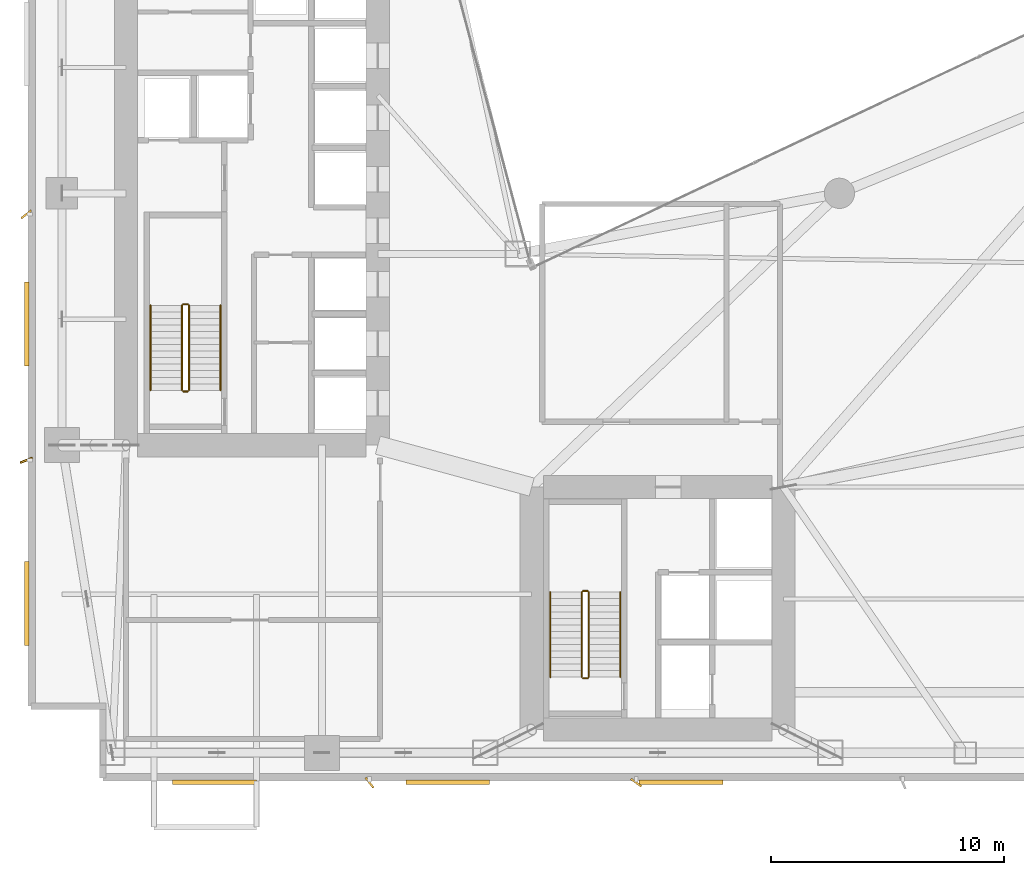
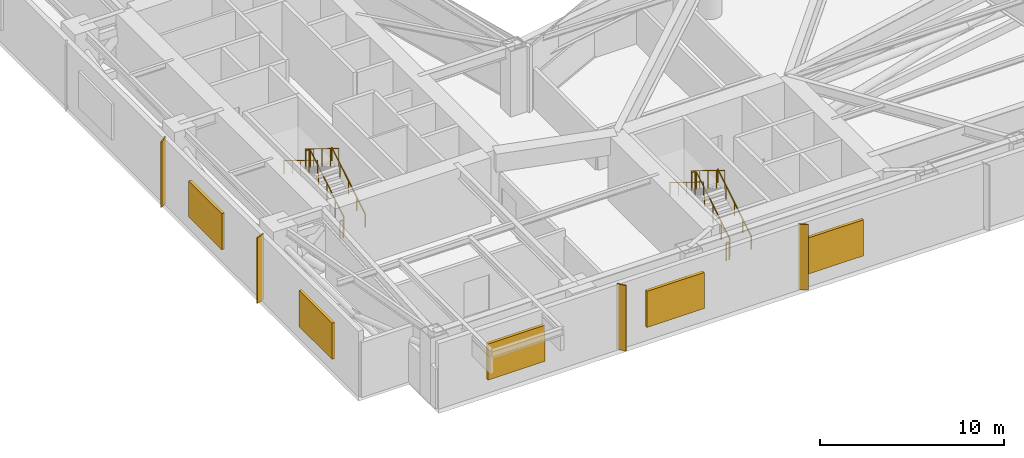
# One storey, part 17 of 18: 12 railings, 9 shading devices.
"""IFC4 building model written with IfcOpenShell, lengths in metres."""

from ifc_helpers import new_model, si_unit, direction, frame, origin, origin_2d, place, context, subcontext, project, spatial, rectangle, circle, extrude, material, type_object, element, save


model = new_model("IFC4")

# Units and contexts
model_context = context("Model", 3, precision=1e-05, world=origin(), true_north=direction((0.0, 1.0)))
body_context = subcontext(model_context, "Body", "Model", "MODEL_VIEW")
ifc_project = project(units=[si_unit("LENGTHUNIT", "METRE"), si_unit("AREAUNIT", "SQUARE_METRE"), si_unit("VOLUMEUNIT", "CUBIC_METRE"), si_unit("PLANEANGLEUNIT", "RADIAN"), si_unit("MASSUNIT", "GRAM", prefix="KILO")], contexts=[model_context])

# Site, building, storey
site_placement = place(None, origin())
site = spatial("IfcSite", under=ifc_project, at=site_placement, CompositionType="ELEMENT")
building_placement = place(site_placement, origin())
building = spatial("IfcBuilding", under=site, at=building_placement, Name="Calvorn Quay Hotel", CompositionType="ELEMENT")
storey_placement = place(building_placement, frame((0.0, 0.0, 92.60009765625)))
storey = spatial("IfcBuildingStorey", under=building, at=storey_placement, Name="L22", CompositionType="ELEMENT", Elevation=92.60009765625)

# Railings
ifc_material_1 = material(Name="Brushed Stainless Steel Handrail", Category="steel")
railing_type_1 = type_object("IfcRailingType", Name="RLG-HANDRAIL-900", PredefinedType="HANDRAIL", material=ifc_material_1)
railing_1_placement = place(storey_placement, frame((8.25, 19.14990234375, 0.17138671875)))
element("IfcRailing", 1, at=railing_1_placement, inside=storey, type_object=railing_type_1, Name="L22 ST-W stair handrail 1", PredefinedType="HANDRAIL", context=body_context, shape_type="SweptSolid", body=[
    extrude(circle(Radius=0.02392578125, at=origin_2d()), frame((0.0, 0.0, 0.8759765625), z_axis=(0.0, 0.852865859571, 0.52213008492), x_axis=(-1.0, 0.0, 0.0)), (0.0, 0.0, 1.0), 4.26806640625),
    extrude(circle(Radius=0.02099609375, at=origin_2d()), origin(), (0.0, 0.0, 1.0), 0.851806640625),
    extrude(circle(Radius=0.02099609375, at=origin_2d()), frame((0.0, 0.91015625, 0.55712890625)), (0.0, 0.0, 1.0), 0.851806640625),
    extrude(circle(Radius=0.02099609375, at=origin_2d()), frame((0.0, 1.820068359375, 1.1142578125)), (0.0, 0.0, 1.0), 0.851806640625),
    extrude(circle(Radius=0.02099609375, at=origin_2d()), frame((0.0, 2.72998046875, 1.67138671875)), (0.0, 0.0, 1.0), 0.851806640625),
    extrude(circle(Radius=0.02099609375, at=origin_2d()), frame((0.0, 3.64013671875, 2.228515625)), (0.0, 0.0, 1.0), 0.851806640625),
])
railing_2_placement = place(storey_placement, frame((5.25, 22.7900390625, 2.5712890625)))
element("IfcRailing", 2, at=railing_2_placement, inside=storey, type_object=railing_type_1, Name="L22 ST-W stair handrail 2", PredefinedType="HANDRAIL", context=body_context, shape_type="SweptSolid", body=[
    extrude(circle(Radius=0.02392578125, at=origin_2d()), frame((0.0, 0.0, 0.8759765625), z_axis=(0.0, -0.852865859571, 0.52213008492), x_axis=(1.0, 0.0, 0.0)), (0.0, 0.0, 1.0), 4.26806640625),
    extrude(circle(Radius=0.02099609375, at=origin_2d()), origin(), (0.0, 0.0, 1.0), 0.851806640625),
    extrude(circle(Radius=0.02099609375, at=origin_2d()), frame((0.0, -0.91015625, 0.55712890625)), (0.0, 0.0, 1.0), 0.851806640625),
    extrude(circle(Radius=0.02099609375, at=origin_2d()), frame((0.0, -1.820068359375, 1.1142578125)), (0.0, 0.0, 1.0), 0.851806640625),
    extrude(circle(Radius=0.02099609375, at=origin_2d()), frame((0.0, -2.72998046875, 1.67138671875)), (0.0, 0.0, 1.0), 0.851806640625),
    extrude(circle(Radius=0.02099609375, at=origin_2d()), frame((0.0, -3.64013671875, 2.228515625)), (0.0, 0.0, 1.0), 0.851806640625),
])
railing_3_placement = place(storey_placement, frame((25.39990234375, 6.85009765625, 0.17138671875)))
element("IfcRailing", 3, at=railing_3_placement, inside=storey, type_object=railing_type_1, Name="L22 ST-E stair handrail 1", PredefinedType="HANDRAIL", context=body_context, shape_type="SweptSolid", body=[
    extrude(circle(Radius=0.02392578125, at=origin_2d()), frame((0.0, 0.0, 0.8759765625), z_axis=(0.0, 0.852850264322, 0.5221555579), x_axis=(-1.0, 0.0, 0.0)), (0.0, 0.0, 1.0), 4.267822265625),
    extrude(circle(Radius=0.02099609375, at=origin_2d()), origin(), (0.0, 0.0, 1.0), 0.851806640625),
    extrude(circle(Radius=0.02099609375, at=origin_2d()), frame((0.0, 0.909912109375, 0.55712890625)), (0.0, 0.0, 1.0), 0.851806640625),
    extrude(circle(Radius=0.02099609375, at=origin_2d()), frame((0.0, 1.81982421875, 1.1142578125)), (0.0, 0.0, 1.0), 0.851806640625),
    extrude(circle(Radius=0.02099609375, at=origin_2d()), frame((0.0, 2.72998046875, 1.67138671875)), (0.0, 0.0, 1.0), 0.851806640625),
    extrude(circle(Radius=0.02099609375, at=origin_2d()), frame((0.0, 3.639892578125, 2.228515625)), (0.0, 0.0, 1.0), 0.851806640625),
])
railing_4_placement = place(storey_placement, frame((22.39990234375, 10.489990234375, 2.5712890625)))
element("IfcRailing", 4, at=railing_4_placement, inside=storey, type_object=railing_type_1, Name="L22 ST-E stair handrail 2", PredefinedType="HANDRAIL", context=body_context, shape_type="SweptSolid", body=[
    extrude(circle(Radius=0.02392578125, at=origin_2d()), frame((0.0, 0.0, 0.8759765625), z_axis=(0.0, -0.852850264322, 0.5221555579), x_axis=(1.0, 0.0, 0.0)), (0.0, 0.0, 1.0), 4.267822265625),
    extrude(circle(Radius=0.02099609375, at=origin_2d()), origin(), (0.0, 0.0, 1.0), 0.851806640625),
    extrude(circle(Radius=0.02099609375, at=origin_2d()), frame((0.0, -0.909912109375, 0.55712890625)), (0.0, 0.0, 1.0), 0.851806640625),
    extrude(circle(Radius=0.02099609375, at=origin_2d()), frame((0.0, -1.81982421875, 1.1142578125)), (0.0, 0.0, 1.0), 0.851806640625),
    extrude(circle(Radius=0.02099609375, at=origin_2d()), frame((0.0, -2.72998046875, 1.67138671875)), (0.0, 0.0, 1.0), 0.851806640625),
    extrude(circle(Radius=0.02099609375, at=origin_2d()), frame((0.0, -3.639892578125, 2.228515625)), (0.0, 0.0, 1.0), 0.851806640625),
])
ifc_material_2 = material(Name="Painted Galvanised Steel Balustrade", Category="steel")
railing_type_2 = type_object("IfcRailingType", Name="RLG-STAIR-GUARD-1120", PredefinedType="GUARDRAIL", material=ifc_material_2)
railing_5_placement = place(storey_placement, frame((6.89990234375, 19.14990234375, 0.17138671875)))
element("IfcRailing", 5, at=railing_5_placement, inside=storey, type_object=railing_type_2, Name="L22 ST-W stair guard 1", PredefinedType="GUARDRAIL", context=body_context, shape_type="SweptSolid", body=[
    extrude(circle(Radius=0.02392578125, at=origin_2d()), frame((0.0, 0.0, 1.17578125), z_axis=(0.0, 0.852865859571, 0.52213008492), x_axis=(-1.0, 0.0, 0.0)), (0.0, 0.0, 1.0), 4.26806640625),
    extrude(circle(Radius=0.02099609375, at=origin_2d()), origin(), (0.0, 0.0, 1.0), 1.15185546875),
    extrude(circle(Radius=0.02099609375, at=origin_2d()), frame((0.0, 0.91015625, 0.55712890625)), (0.0, 0.0, 1.0), 1.15185546875),
    extrude(circle(Radius=0.02099609375, at=origin_2d()), frame((0.0, 1.820068359375, 1.1142578125)), (0.0, 0.0, 1.0), 1.15185546875),
    extrude(circle(Radius=0.02099609375, at=origin_2d()), frame((0.0, 2.72998046875, 1.67138671875)), (0.0, 0.0, 1.0), 1.15185546875),
    extrude(circle(Radius=0.02099609375, at=origin_2d()), frame((0.0, 3.64013671875, 2.228515625)), (0.0, 0.0, 1.0), 1.15185546875),
])
railing_6_placement = place(storey_placement, frame((6.85009765625, 22.840087890625, 2.39990234375)))
element("IfcRailing", 6, at=railing_6_placement, inside=storey, type_object=railing_type_2, Name="L22 ST-W stair guard 2", PredefinedType="GUARDRAIL", context=body_context, shape_type="SweptSolid", body=[
    extrude(circle(Radius=0.02392578125, at=origin_2d()), frame((0.0, 0.0, 1.17578125), z_axis=(-1.0, 0.0, 0.0), x_axis=(0.0, -1.0, 0.0)), (0.0, 0.0, 1.0), 0.2001953125),
    extrude(circle(Radius=0.02099609375, at=origin_2d()), origin(), (0.0, 0.0, 1.0), 1.15185546875),
    extrude(circle(Radius=0.02099609375, at=origin_2d()), frame((-0.2001953125, 0.0, 0.0)), (0.0, 0.0, 1.0), 1.15185546875),
])
railing_7_placement = place(storey_placement, frame((6.60009765625, 22.7900390625, 2.5712890625)))
element("IfcRailing", 7, at=railing_7_placement, inside=storey, type_object=railing_type_2, Name="L22 ST-W stair guard 3", PredefinedType="GUARDRAIL", context=body_context, shape_type="SweptSolid", body=[
    extrude(circle(Radius=0.02392578125, at=origin_2d()), frame((0.0, 0.0, 1.17578125), z_axis=(0.0, -0.852865859571, 0.52213008492), x_axis=(1.0, 0.0, 0.0)), (0.0, 0.0, 1.0), 4.26806640625),
    extrude(circle(Radius=0.02099609375, at=origin_2d()), origin(), (0.0, 0.0, 1.0), 1.15185546875),
    extrude(circle(Radius=0.02099609375, at=origin_2d()), frame((0.0, -0.91015625, 0.55712890625)), (0.0, 0.0, 1.0), 1.15185546875),
    extrude(circle(Radius=0.02099609375, at=origin_2d()), frame((0.0, -1.820068359375, 1.1142578125)), (0.0, 0.0, 1.0), 1.15185546875),
    extrude(circle(Radius=0.02099609375, at=origin_2d()), frame((0.0, -2.72998046875, 1.67138671875)), (0.0, 0.0, 1.0), 1.15185546875),
    extrude(circle(Radius=0.02099609375, at=origin_2d()), frame((0.0, -3.64013671875, 2.228515625)), (0.0, 0.0, 1.0), 1.15185546875),
])
railing_8_placement = place(storey_placement, frame((6.85009765625, 19.10009765625, 0.0)))
element("IfcRailing", 8, at=railing_8_placement, inside=storey, type_object=railing_type_2, Name="L22 ST-W stair guard 4", PredefinedType="GUARDRAIL", context=body_context, shape_type="SweptSolid", body=[
    extrude(circle(Radius=0.02392578125, at=origin_2d()), frame((0.0, 0.0, 1.17578125), z_axis=(-1.0, 0.0, 0.0), x_axis=(0.0, -1.0, 0.0)), (0.0, 0.0, 1.0), 0.2001953125),
    extrude(circle(Radius=0.02099609375, at=origin_2d()), origin(), (0.0, 0.0, 1.0), 1.15185546875),
    extrude(circle(Radius=0.02099609375, at=origin_2d()), frame((-0.2001953125, 0.0, 0.0)), (0.0, 0.0, 1.0), 1.15185546875),
])
railing_9_placement = place(storey_placement, frame((24.050048828125, 6.85009765625, 0.17138671875)))
element("IfcRailing", 9, at=railing_9_placement, inside=storey, type_object=railing_type_2, Name="L22 ST-E stair guard 1", PredefinedType="GUARDRAIL", context=body_context, shape_type="SweptSolid", body=[
    extrude(circle(Radius=0.02392578125, at=origin_2d()), frame((0.0, 0.0, 1.17578125), z_axis=(0.0, 0.852850264322, 0.5221555579), x_axis=(-1.0, 0.0, 0.0)), (0.0, 0.0, 1.0), 4.267822265625),
    extrude(circle(Radius=0.02099609375, at=origin_2d()), origin(), (0.0, 0.0, 1.0), 1.15185546875),
    extrude(circle(Radius=0.02099609375, at=origin_2d()), frame((0.0, 0.909912109375, 0.55712890625)), (0.0, 0.0, 1.0), 1.15185546875),
    extrude(circle(Radius=0.02099609375, at=origin_2d()), frame((0.0, 1.81982421875, 1.1142578125)), (0.0, 0.0, 1.0), 1.15185546875),
    extrude(circle(Radius=0.02099609375, at=origin_2d()), frame((0.0, 2.72998046875, 1.67138671875)), (0.0, 0.0, 1.0), 1.15185546875),
    extrude(circle(Radius=0.02099609375, at=origin_2d()), frame((0.0, 3.639892578125, 2.228515625)), (0.0, 0.0, 1.0), 1.15185546875),
])
railing_10_placement = place(storey_placement, frame((24.0, 10.5400390625, 2.39990234375)))
element("IfcRailing", 10, at=railing_10_placement, inside=storey, type_object=railing_type_2, Name="L22 ST-E stair guard 2", PredefinedType="GUARDRAIL", context=body_context, shape_type="SweptSolid", body=[
    extrude(circle(Radius=0.02392578125, at=origin_2d()), frame((0.0, 0.0, 1.17578125), z_axis=(-1.0, 0.0, 0.0), x_axis=(0.0, -1.0, 0.0)), (0.0, 0.0, 1.0), 0.199951171875),
    extrude(circle(Radius=0.02099609375, at=origin_2d()), origin(), (0.0, 0.0, 1.0), 1.15185546875),
    extrude(circle(Radius=0.02099609375, at=origin_2d()), frame((-0.199951171875, 0.0, 0.0)), (0.0, 0.0, 1.0), 1.15185546875),
])
railing_11_placement = place(storey_placement, frame((23.75, 10.489990234375, 2.5712890625)))
element("IfcRailing", 11, at=railing_11_placement, inside=storey, type_object=railing_type_2, Name="L22 ST-E stair guard 3", PredefinedType="GUARDRAIL", context=body_context, shape_type="SweptSolid", body=[
    extrude(circle(Radius=0.02392578125, at=origin_2d()), frame((0.0, 0.0, 1.17578125), z_axis=(0.0, -0.852850264322, 0.5221555579), x_axis=(1.0, 0.0, 0.0)), (0.0, 0.0, 1.0), 4.267822265625),
    extrude(circle(Radius=0.02099609375, at=origin_2d()), origin(), (0.0, 0.0, 1.0), 1.15185546875),
    extrude(circle(Radius=0.02099609375, at=origin_2d()), frame((0.0, -0.909912109375, 0.55712890625)), (0.0, 0.0, 1.0), 1.15185546875),
    extrude(circle(Radius=0.02099609375, at=origin_2d()), frame((0.0, -1.81982421875, 1.1142578125)), (0.0, 0.0, 1.0), 1.15185546875),
    extrude(circle(Radius=0.02099609375, at=origin_2d()), frame((0.0, -2.72998046875, 1.67138671875)), (0.0, 0.0, 1.0), 1.15185546875),
    extrude(circle(Radius=0.02099609375, at=origin_2d()), frame((0.0, -3.639892578125, 2.228515625)), (0.0, 0.0, 1.0), 1.15185546875),
])
railing_12_placement = place(storey_placement, frame((24.0, 6.800048828125, 0.0)))
element("IfcRailing", 12, at=railing_12_placement, inside=storey, type_object=railing_type_2, Name="L22 ST-E stair guard 4", PredefinedType="GUARDRAIL", context=body_context, shape_type="SweptSolid", body=[
    extrude(circle(Radius=0.02392578125, at=origin_2d()), frame((0.0, 0.0, 1.17578125), z_axis=(-1.0, 0.0, 0.0), x_axis=(0.0, -1.0, 0.0)), (0.0, 0.0, 1.0), 0.199951171875),
    extrude(circle(Radius=0.02099609375, at=origin_2d()), origin(), (0.0, 0.0, 1.0), 1.15185546875),
    extrude(circle(Radius=0.02099609375, at=origin_2d()), frame((-0.199951171875, 0.0, 0.0)), (0.0, 0.0, 1.0), 1.15185546875),
])

# Shading devices
ifc_material_3 = material(Name="Champagne Bronze Anodised Aluminium 6063-T6", Category="aluminium")
shading_device_type_1 = type_object("IfcShadingDeviceType", Name="SHD-FIN-A1", PredefinedType="USERDEFINED", material=ifc_material_3)
shading_device_1_placement = place(storey_placement, frame((-0.080078125, 16.14990234375, -0.000244140625), z_axis=(0.0, 0.0, 1.0), x_axis=(0.927183854567, 0.374606593416, 0.0)))
element("IfcShadingDevice", 13, at=shading_device_1_placement, inside=storey, type_object=shading_device_type_1, Name="Diagonal Sun-Shading Fin L22-W01", ObjectType="FIN", PredefinedType="USERDEFINED", context=body_context, shape_type="SweptSolid", body=[
    extrude(rectangle(XDim=0.550048828125, YDim=0.080078125, at=origin_2d()), origin(), (0.0, 0.0, 1.0), 4.35009765625),
])
ifc_material_4 = material(Name="Champagne Bronze Anodised Aluminium 6063-T6", Category="aluminium")
shading_device_type_2 = type_object("IfcShadingDeviceType", Name="SHD-FIN-A2", PredefinedType="USERDEFINED", material=ifc_material_4)
for number, where, z_axis, x_axis, name in (
    (14, (-0.080078125, 26.699951171875, -0.000244140625), (0.0, 0.0, 1.0), (0.788010753607, 0.615661475326, 0.0), "Diagonal Sun-Shading Fin L22-W02"),
    (15, (14.639892578125, 2.320068359375, -0.000244140625), (0.0, 0.0, 1.0), (-0.615661475326, 0.788010753607, 0.0), "Diagonal Sun-Shading Fin L22-S01"),
):
    element("IfcShadingDevice", number, at=place(storey_placement, frame(where, z_axis=z_axis, x_axis=x_axis)), inside=storey, type_object=shading_device_type_2, Name=name, ObjectType="FIN", PredefinedType="USERDEFINED", context=body_context, shape_type="SweptSolid", body=[
        extrude(rectangle(XDim=0.550048828125, YDim=0.080078125, at=origin_2d()), origin(), (0.0, 0.0, 1.0), 4.35009765625),
    ])
ifc_material_5 = material(Name="Champagne Bronze Anodised Aluminium 6063-T6", Category="aluminium")
shading_device_type_3 = type_object("IfcShadingDeviceType", Name="SHD-FIN-A3", PredefinedType="USERDEFINED", material=ifc_material_5)
shading_device_2_placement = place(storey_placement, frame((26.080078125, 2.320068359375, -0.000244140625), z_axis=(0.0, 0.0, 1.0), x_axis=(-0.809016994375, 0.587785252292, 0.0)))
element("IfcShadingDevice", 16, at=shading_device_2_placement, inside=storey, type_object=shading_device_type_3, Name="Diagonal Sun-Shading Fin L22-S02", ObjectType="FIN", PredefinedType="USERDEFINED", context=body_context, shape_type="SweptSolid", body=[
    extrude(rectangle(XDim=0.550048828125, YDim=0.080078125, at=origin_2d()), origin(), (0.0, 0.0, 1.0), 4.35009765625),
])
ifc_material_6 = material(Name="Anodised Aluminium 6063-T6", Category="aluminium")
shading_device_type_4 = type_object("IfcShadingDeviceType", Name="SHD-MECH-LOUVRE", PredefinedType="USERDEFINED", material=ifc_material_6)
for number, where, z_axis, x_axis, name in (
    (17, (-0.06005859375, 10.0, 0.974853515625), (0.0, 0.0, 1.0), (1.0, 0.0, 0.0), "Refuge Stormproof Intake Louvre L22-W1"),
    (18, (-0.06005859375, 22.0, 0.974853515625), (0.0, 0.0, 1.0), (1.0, 0.0, 0.0), "Refuge Stormproof Intake Louvre L22-W2"),
):
    element("IfcShadingDevice", number, at=place(storey_placement, frame(where, z_axis=z_axis, x_axis=x_axis)), inside=storey, type_object=shading_device_type_4, Name=name, ObjectType="LOUVRE", PredefinedType="USERDEFINED", context=body_context, shape_type="SweptSolid", body=[
        extrude(rectangle(XDim=0.179931640625, YDim=3.60009765625, at=origin_2d()), origin(), (0.0, 0.0, 1.0), 2.39990234375),
    ])
for number, where, z_axis, x_axis, name in (
    (19, (8.0, 2.340087890625, 0.974853515625), (0.0, 0.0, 1.0), (1.0, 0.0, 0.0), "Refuge Exhaust Louvre L22-S1"),
    (20, (18.0, 2.340087890625, 0.974853515625), (0.0, 0.0, 1.0), (1.0, 0.0, 0.0), "Refuge Exhaust Louvre L22-S2"),
    (21, (28.0, 2.340087890625, 0.974853515625), (0.0, 0.0, 1.0), (1.0, 0.0, 0.0), "Refuge Exhaust Louvre L22-S3"),
):
    element("IfcShadingDevice", number, at=place(storey_placement, frame(where, z_axis=z_axis, x_axis=x_axis)), inside=storey, type_object=shading_device_type_4, Name=name, ObjectType="LOUVRE", PredefinedType="USERDEFINED", context=body_context, shape_type="SweptSolid", body=[
        extrude(rectangle(XDim=3.60009765625, YDim=0.179931640625, at=origin_2d()), origin(), (0.0, 0.0, 1.0), 2.39990234375),
    ])

save(model, "model.ifc")
